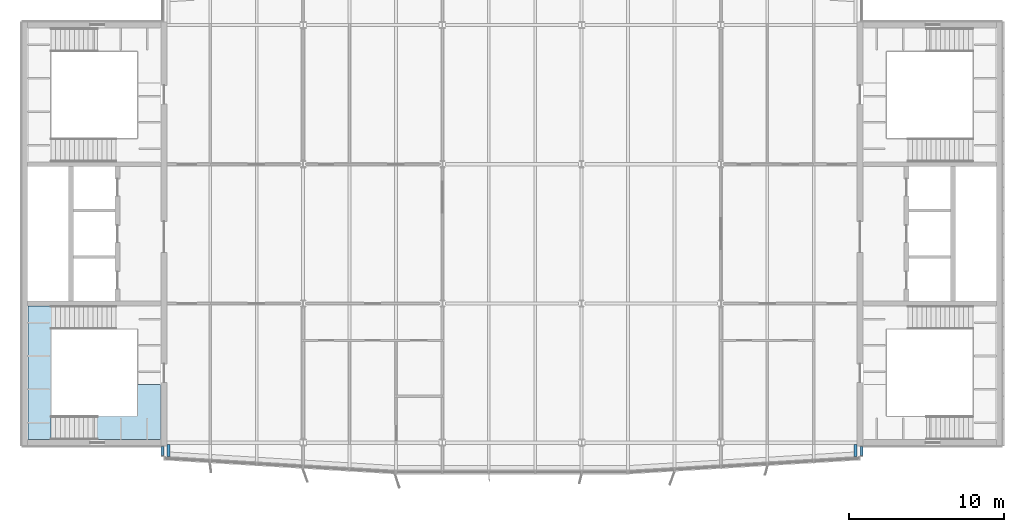
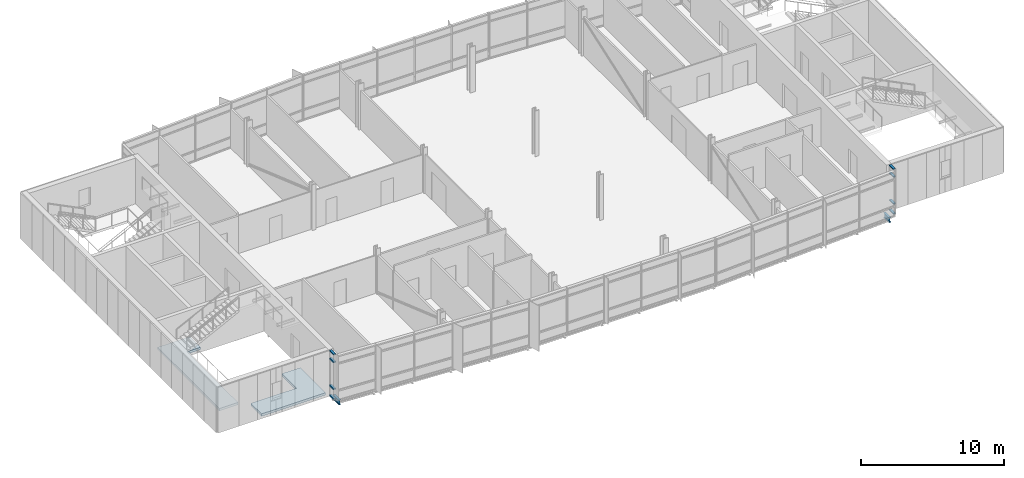
# One storey, part 9 of 20: 8 members, 2 beams, 2 slabs, 3 elements without a shape of their own.
"""IFC4 building model written with IfcOpenShell, lengths in metres."""

from ifc_helpers import new_model, si_unit, direction, frame, origin, origin_2d, place, context, subcontext, project, spatial, polyline, rectangle, i_section, outline, extrude, material, layer, layer_set, material_profile, profile_set, type_object, element, aggregate, save


model = new_model("IFC4")

# Units and contexts
model_context = context("Model", 3, precision=1e-05, world=origin(), true_north=direction((0.0, 1.0)))
body_context = subcontext(model_context, "Body", "Model", "MODEL_VIEW")
ifc_project = project(units=[si_unit("LENGTHUNIT", "METRE"), si_unit("AREAUNIT", "SQUARE_METRE"), si_unit("VOLUMEUNIT", "CUBIC_METRE"), si_unit("PLANEANGLEUNIT", "RADIAN"), si_unit("MASSUNIT", "GRAM", prefix="KILO")], contexts=[model_context])

# Site, building, storey
site_placement = place(None, origin())
site = spatial("IfcSite", under=ifc_project, at=site_placement, CompositionType="ELEMENT")
building_placement = place(site_placement, origin())
building = spatial("IfcBuilding", under=site, at=building_placement, Name="Azimuth Sports and Learning Centre", CompositionType="ELEMENT")
storey_placement = place(building_placement, frame((0.0, 0.0, 44.10009765625)))
storey = spatial("IfcBuildingStorey", under=building, at=storey_placement, Name="L09", CompositionType="ELEMENT", Elevation=44.10009765625)

# Beams
ifc_material_1 = material(Name="Steel S355", Category="steel")
ifc_material_profile_1 = material_profile(ifc_material_1, i_section(OverallWidth=0.179931640625, OverallDepth=0.39990234375, WebThickness=0.008544921875, FlangeThickness=0.013427734375, FilletRadius=0.02099609375, at=origin_2d()), Name="IPE 400")
ifc_profile_set_1 = profile_set([ifc_material_profile_1], Name="Steel S355")
beam_type = type_object("IfcBeamType", Name="Cantilever stub IPE 400", PredefinedType="JOIST", material=ifc_profile_set_1)
for number, where, z_axis, x_axis, name in (
    (1, (63.2900390625, 89.89501953125, -0.330078125), (0.0, -1.0, 0.0), (1.0, 0.0, 0.0), "Tower cantilever stub"),
    (2, (107.7099609375, 89.89501953125, -0.330078125), (0.0, -1.0, 0.0), (1.0, 0.0, 0.0), "Tower cantilever stub"),
):
    element("IfcBeam", number, at=place(storey_placement, frame(where, z_axis=z_axis, x_axis=x_axis)), inside=storey, type_object=beam_type, Name=name, PredefinedType="JOIST", context=body_context, shape_type="SweptSolid", body=[
        extrude(i_section(OverallWidth=0.179931640625, OverallDepth=0.39990234375, WebThickness=0.008544921875, FlangeThickness=0.013427734375, FilletRadius=0.02099609375, at=origin_2d()), origin(), (0.0, 0.0, 1.0), 0.79248046875),
    ])

# Curtain wall, members
ifc_material_2 = material(Name="Aluminium and glass", Category="aluminium")
curtain_wall_type = type_object("IfcCurtainWallType", Name="Curtain wall tower return 180", PredefinedType="NOTDEFINED", material=ifc_material_2)
curtain_wall_1_placement = place(storey_placement, origin())
curtain_wall_1 = element("IfcCurtainWall", 3, at=curtain_wall_1_placement, inside=storey, type_object=curtain_wall_type, Name="Curtain wall CW09-001", PredefinedType="NOTDEFINED")
ifc_material_3 = material(Name="Aluminium", Category="aluminium")
ifc_material_profile_2 = material_profile(ifc_material_3, rectangle(XDim=0.179931640625, YDim=0.10009765625, at=origin_2d()), Name="Transom 100x180")
ifc_profile_set_2 = profile_set([ifc_material_profile_2], Name="Aluminium")
member_type = type_object("IfcMemberType", Name="Transom 100x180", PredefinedType="USERDEFINED", material=ifc_profile_set_2)
member_1_placement = place(storey_placement, frame((62.909912109375, 89.739990234375, 0.0498046875), z_axis=(0.0, -1.0, 0.0), x_axis=(1.0, 0.0, 0.0)))
member_1 = element("IfcMember", 4, at=member_1_placement, type_object=member_type, Name="CW09-001 transom 1.1", ObjectType="TRANSOM", PredefinedType="USERDEFINED", context=body_context, shape_type="SweptSolid", body=[
    extrude(rectangle(XDim=0.179931640625, YDim=0.10009765625, at=origin_2d()), origin(), (0.0, 0.0, 1.0), 0.580078125),
])
member_2_placement = place(storey_placement, frame((62.909912109375, 89.739990234375, 0.89990234375), z_axis=(0.0, -1.0, 0.0), x_axis=(1.0, 0.0, 0.0)))
member_2 = element("IfcMember", 5, at=member_2_placement, type_object=member_type, Name="CW09-001 transom 1.2", ObjectType="TRANSOM", PredefinedType="USERDEFINED", context=body_context, shape_type="SweptSolid", body=[
    extrude(rectangle(XDim=0.179931640625, YDim=0.10009765625, at=origin_2d()), origin(), (0.0, 0.0, 1.0), 0.580078125),
])
member_3_placement = place(storey_placement, frame((62.909912109375, 89.739990234375, 3.199951171875), z_axis=(0.0, -1.0, 0.0), x_axis=(1.0, 0.0, 0.0)))
member_3 = element("IfcMember", 6, at=member_3_placement, type_object=member_type, Name="CW09-001 transom 1.3", ObjectType="TRANSOM", PredefinedType="USERDEFINED", context=body_context, shape_type="SweptSolid", body=[
    extrude(rectangle(XDim=0.179931640625, YDim=0.10009765625, at=origin_2d()), origin(), (0.0, 0.0, 1.0), 0.580078125),
])
member_4_placement = place(storey_placement, frame((62.909912109375, 89.739990234375, 3.849853515625), z_axis=(0.0, -1.0, 0.0), x_axis=(1.0, 0.0, 0.0)))
member_4 = element("IfcMember", 7, at=member_4_placement, type_object=member_type, Name="CW09-001 transom 1.4", ObjectType="TRANSOM", PredefinedType="USERDEFINED", context=body_context, shape_type="SweptSolid", body=[
    extrude(rectangle(XDim=0.179931640625, YDim=0.10009765625, at=origin_2d()), origin(), (0.0, 0.0, 1.0), 0.580078125),
])
aggregate(curtain_wall_1, [member_1, member_2, member_3, member_4])

curtain_wall_2_placement = place(storey_placement, origin())
curtain_wall_2 = element("IfcCurtainWall", 8, at=curtain_wall_2_placement, inside=storey, type_object=curtain_wall_type, Name="Curtain wall CW09-005", PredefinedType="NOTDEFINED")
member_5_placement = place(storey_placement, frame((108.090087890625, 89.159912109375, 0.0498046875), z_axis=(0.0, 1.0, 0.0), x_axis=(-1.0, 0.0, 0.0)))
member_5 = element("IfcMember", 9, at=member_5_placement, type_object=member_type, Name="CW09-005 transom 1.1", ObjectType="TRANSOM", PredefinedType="USERDEFINED", context=body_context, shape_type="SweptSolid", body=[
    extrude(rectangle(XDim=0.179931640625, YDim=0.10009765625, at=origin_2d()), origin(), (0.0, 0.0, 1.0), 0.580078125),
])
member_6_placement = place(storey_placement, frame((108.090087890625, 89.159912109375, 0.89990234375), z_axis=(0.0, 1.0, 0.0), x_axis=(-1.0, 0.0, 0.0)))
member_6 = element("IfcMember", 10, at=member_6_placement, type_object=member_type, Name="CW09-005 transom 1.2", ObjectType="TRANSOM", PredefinedType="USERDEFINED", context=body_context, shape_type="SweptSolid", body=[
    extrude(rectangle(XDim=0.179931640625, YDim=0.10009765625, at=origin_2d()), origin(), (0.0, 0.0, 1.0), 0.580078125),
])
member_7_placement = place(storey_placement, frame((108.090087890625, 89.159912109375, 3.199951171875), z_axis=(0.0, 1.0, 0.0), x_axis=(-1.0, 0.0, 0.0)))
member_7 = element("IfcMember", 11, at=member_7_placement, type_object=member_type, Name="CW09-005 transom 1.3", ObjectType="TRANSOM", PredefinedType="USERDEFINED", context=body_context, shape_type="SweptSolid", body=[
    extrude(rectangle(XDim=0.179931640625, YDim=0.10009765625, at=origin_2d()), origin(), (0.0, 0.0, 1.0), 0.580078125),
])
member_8_placement = place(storey_placement, frame((108.090087890625, 89.159912109375, 3.849853515625), z_axis=(0.0, 1.0, 0.0), x_axis=(-1.0, 0.0, 0.0)))
member_8 = element("IfcMember", 12, at=member_8_placement, type_object=member_type, Name="CW09-005 transom 1.4", ObjectType="TRANSOM", PredefinedType="USERDEFINED", context=body_context, shape_type="SweptSolid", body=[
    extrude(rectangle(XDim=0.179931640625, YDim=0.10009765625, at=origin_2d()), origin(), (0.0, 0.0, 1.0), 0.580078125),
])
aggregate(curtain_wall_2, [member_5, member_6, member_7, member_8])

# Stair, slabs
ifc_material_4 = material(Name="Concrete C32/40", Category="concrete")
stair_type = type_object("IfcStairType", Name="Square-well stair core 3900 storey", PredefinedType="THREE_QUARTER_TURN_STAIR", material=ifc_material_4)
stair_placement = place(storey_placement, origin())
stair = element("IfcStair", 13, at=stair_placement, inside=storey, type_object=stair_type, Name="Stair W1 L09-L10", PredefinedType="THREE_QUARTER_TURN_STAIR")
ifc_material_5 = material(Name="Concrete C32/40", Category="concrete")
ifc_layer = layer(ifc_material_5, 0.199951171875)
ifc_layer_set = layer_set([ifc_layer], Name="Concrete C32/40")
slab_type = type_object("IfcSlabType", Name="Concrete stair landing", PredefinedType="LANDING", material=ifc_layer_set)
slab_1_placement = place(storey_placement, frame((0.0, 0.0, -0.2001953125)))
slab_1 = element("IfcSlab", 14, at=slab_1_placement, type_object=slab_type, Name="Stair W1 L09 landing 1", PredefinedType="LANDING", context=body_context, shape_type="SweptSolid", body=[
    extrude(outline(polyline([(62.7900390625, 90.2099609375), (62.7900390625, 93.75), (61.2900390625, 93.75), (61.2900390625, 91.7099609375), (57.610107421875, 91.7099609375), (57.610107421875, 90.2099609375), (62.7900390625, 90.2099609375)])), origin(), (0.0, 0.0, 1.0), 0.2001953125),
])
slab_2_placement = place(storey_placement, frame((0.0, 0.0, 1.449951171875)))
slab_2 = element("IfcSlab", 15, at=slab_2_placement, type_object=slab_type, Name="Stair W1 L09 landing 2", PredefinedType="LANDING", context=body_context, shape_type="SweptSolid", body=[
    extrude(outline(polyline([(55.7099609375, 91.7099609375), (55.7099609375, 97.340087890625), (56.81005859375, 97.340087890625), (56.81005859375, 98.840087890625), (54.2099609375, 98.840087890625), (54.2099609375, 90.2099609375), (55.710693359375, 90.2099609375), (55.710693359375, 91.7099609375), (55.7099609375, 91.7099609375)])), origin(), (0.0, 0.0, 1.0), 0.199951171875),
])
aggregate(stair, [slab_1, slab_2])

save(model, "model.ifc")
